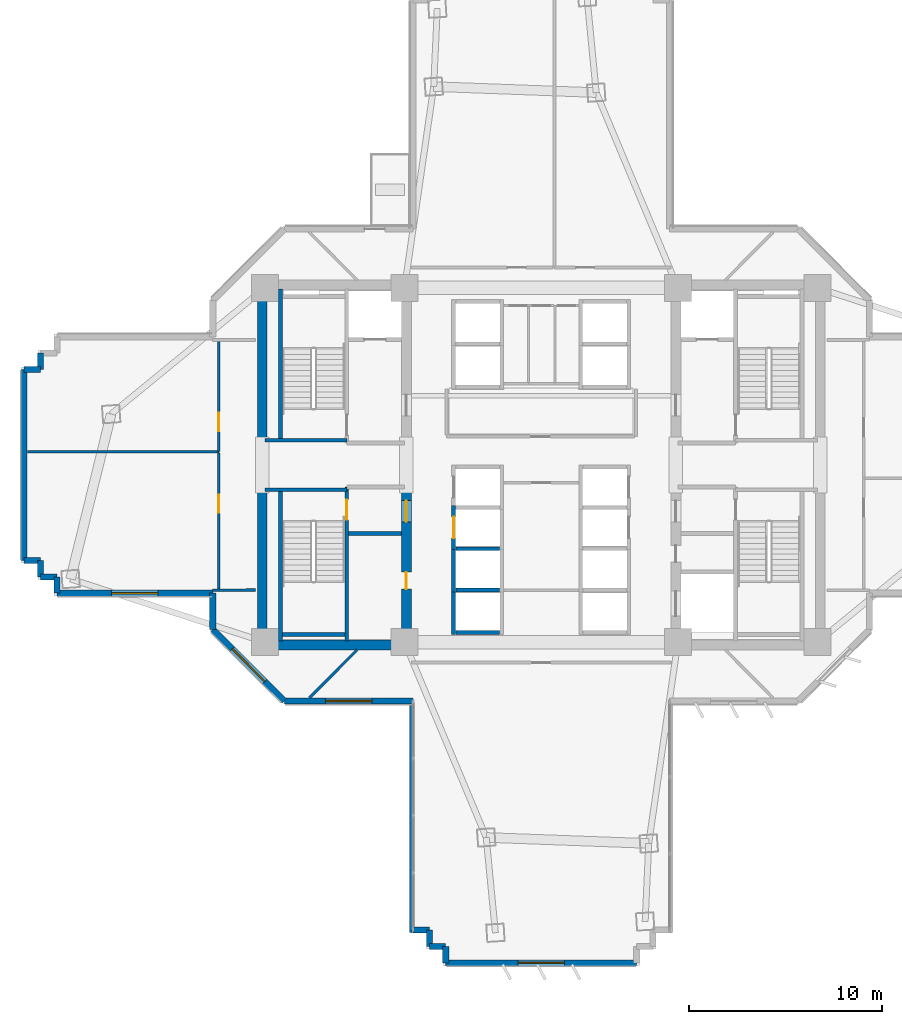
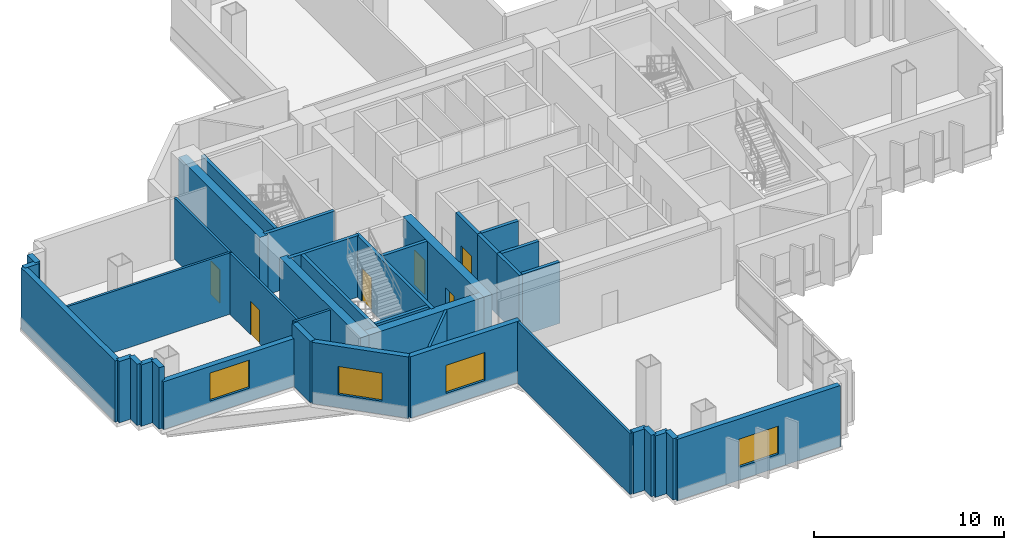
# One storey, part 5 of 14: 39 walls, 6 doors, 4 windows, 10 openings.
"""IFC4 building model written with IfcOpenShell, lengths in metres."""

from ifc_helpers import new_model, si_unit, direction, frame, frame_2d, origin, place, context, subcontext, project, spatial, rectangle, extrude, source, transform, mapped, material, layer, layer_set, type_object, element, fill, save


model = new_model("IFC4")

# Units and contexts
model_context = context("Model", 3, precision=1e-05, world=origin(), true_north=direction((0.0, 1.0)))
body_context = subcontext(model_context, "Body", "Model", "MODEL_VIEW")
ifc_project = project(units=[si_unit("LENGTHUNIT", "METRE"), si_unit("AREAUNIT", "SQUARE_METRE"), si_unit("VOLUMEUNIT", "CUBIC_METRE"), si_unit("PLANEANGLEUNIT", "RADIAN"), si_unit("MASSUNIT", "GRAM", prefix="KILO")], contexts=[model_context])

# Site, building, storey
site_placement = place(None, origin())
site = spatial("IfcSite", under=ifc_project, at=site_placement, CompositionType="ELEMENT")
building_placement = place(site_placement, origin())
building = spatial("IfcBuilding", under=site, at=building_placement, Name="Zahravan Cultural Tower", CompositionType="ELEMENT")
storey_placement = place(building_placement, frame((0.0, 0.0, 37.5)))
storey = spatial("IfcBuildingStorey", under=building, at=storey_placement, Name="L07", CompositionType="ELEMENT", Elevation=37.5)

# Wall, openings, doors
ifc_material_1 = material(Name="Concrete C60/75", Category="concrete")
ifc_layer_1 = layer(ifc_material_1, 0.5)
ifc_layer_set_1 = layer_set([ifc_layer_1], Name="Concrete C60/75")
wall_type_1 = type_object("IfcWallType", Name="CW-SHEAR-500-C60", PredefinedType="SHEAR", material=ifc_layer_set_1)
wall_1_placement = place(storey_placement, frame((29.0, 17.39990234375, 0.0), z_axis=(0.0, 0.0, 1.0), x_axis=(0.0, 1.0, 0.0)))
wall_1 = element("IfcWall", 1, at=wall_1_placement, inside=storey, type_object=wall_type_1, Name="L07 Core Shear Wall CW-W-ES-L07", PredefinedType="SHEAR", context=body_context, shape_type="SweptSolid", body=[
    extrude(rectangle(XDim=8.550048828125, YDim=0.5, at=frame_2d((4.27490234375, 0.0))), origin(), (0.0, 0.0, 1.0), 3.949951171875),
])
opening_1_placement = place(wall_1_placement, frame((6.64990234375, 0.0, 0.0)))
opening_1 = element("IfcOpeningElement", 2, at=opening_1_placement, cuts=wall_1, Name="Opening D-L07-07", PredefinedType="OPENING", context=body_context, shape_type="SweptSolid", body=[
    extrude(rectangle(XDim=1.10009765625, YDim=2.199951171875, at=frame_2d((0.550048828125, 1.10009765625))), frame((0.0, 0.260009765625, 0.0), z_axis=(0.0, -1.0, 0.0), x_axis=(1.0, 0.0, 0.0)), (0.0, 0.0, 1.0), 0.52001953125),
])
opening_2_placement = place(wall_1_placement, frame((3.14990234375, 0.0, 0.0)))
opening_2 = element("IfcOpeningElement", 3, at=opening_2_placement, cuts=wall_1, Name="Opening D-L07-09", PredefinedType="OPENING", context=body_context, shape_type="SweptSolid", body=[
    extrude(rectangle(XDim=0.8798828125, YDim=2.10009765625, at=frame_2d((0.43994140625, 1.050048828125))), frame((0.0, 0.260009765625, 0.0), z_axis=(0.0, -1.0, 0.0), x_axis=(1.0, 0.0, 0.0)), (0.0, 0.0, 1.0), 0.52001953125),
])
ifc_material_2 = material(Name="Steel ASTM A572 Grade 50", Category="steel")
door_type_1 = type_object("IfcDoorType", Name="DR-LOBBY-1100", OperationType="NOTDEFINED", PredefinedType="DOOR", material=ifc_material_2)
shared_shape_1 = source(origin(), body_context, "Body", "SweptSolid", [
    extrude(rectangle(XDim=1.10009765625, YDim=2.199951171875, at=frame_2d((0.550048828125, 1.10009765625))), frame((0.0, 0.02490234375, 0.0), z_axis=(0.0, -1.0, 0.0), x_axis=(1.0, 0.0, 0.0)), (0.0, 0.0, 1.0), 0.050048828125),
])
door_1_placement = place(opening_1_placement, origin())
door_1 = element("IfcDoor", 4, at=door_1_placement, inside=storey, type_object=door_type_1, Name="L07 Door D-L07-07", OperationType="SINGLE_SWING_RIGHT", OverallHeight=2.199951171875, OverallWidth=1.10009765625, PredefinedType="DOOR", context=body_context, shape_type="MappedRepresentation", body=[
    mapped(shared_shape_1, transform((0.0, 0.0, 0.0), x_axis=(1.0, 0.0, 0.0), y_axis=(0.0, 1.0, 0.0), z_axis=(0.0, 0.0, 1.0), scale=1.0)),
])
fill(opening_1, door_1)
door_type_2 = type_object("IfcDoorType", Name="DR-SVC-880", OperationType="NOTDEFINED", PredefinedType="DOOR", material=ifc_material_2)
shared_shape_2 = source(origin(), body_context, "Body", "SweptSolid", [
    extrude(rectangle(XDim=0.8798828125, YDim=2.10009765625, at=frame_2d((0.43994140625, 1.050048828125))), frame((0.0, 0.02490234375, 0.0), z_axis=(0.0, -1.0, 0.0), x_axis=(1.0, 0.0, 0.0)), (0.0, 0.0, 1.0), 0.050048828125),
])
door_2_placement = place(opening_2_placement, origin())
door_2 = element("IfcDoor", 5, at=door_2_placement, inside=storey, type_object=door_type_2, Name="L07 Door D-L07-09", OperationType="SINGLE_SWING_RIGHT", OverallHeight=2.10009765625, OverallWidth=0.8798828125, PredefinedType="DOOR", context=body_context, shape_type="MappedRepresentation", body=[
    mapped(shared_shape_2, transform((0.0, 0.0, 0.0), x_axis=(1.0, 0.0, 0.0), y_axis=(0.0, 1.0, 0.0), z_axis=(0.0, 0.0, 1.0), scale=1.0)),
])
fill(opening_2, door_2)

# Wall, opening, window
ifc_material_3 = material(Name="Precast concrete C40/50", Category="concrete")
ifc_layer_2 = layer(ifc_material_3, 0.320068359375)
ifc_layer_set_2 = layer_set([ifc_layer_2], Name="Precast concrete C40/50")
wall_type_2 = type_object("IfcWallType", Name="EW-TC-320", PredefinedType="SOLIDWALL", material=ifc_layer_set_2)
wall_2_placement = place(storey_placement, frame((40.9599609375, 1.139892578125, 0.0), z_axis=(0.0, 0.0, 1.0), x_axis=(-1.0, 0.0, 0.0)))
wall_2 = element("IfcWall", 6, at=wall_2_placement, inside=storey, type_object=wall_type_2, Name="L07 Exterior Masonry Frame Wall 19", PredefinedType="SOLIDWALL", context=body_context, shape_type="SweptSolid", body=[
    extrude(rectangle(XDim=9.919921875, YDim=0.320068359375, at=frame_2d((4.9599609375, 0.0))), origin(), (0.0, 0.0, 1.0), 3.949951171875),
])
opening_3_placement = place(wall_2_placement, frame((3.760009765625, 0.0, 0.85009765625)))
opening_3 = element("IfcOpeningElement", 7, at=opening_3_placement, cuts=wall_2, Name="Opening WN-01", PredefinedType="OPENING", context=body_context, shape_type="SweptSolid", body=[
    extrude(rectangle(XDim=2.39990234375, YDim=1.800048828125, at=frame_2d((1.199951171875, 0.89990234375))), frame((0.0, 0.169921875, 0.0), z_axis=(0.0, -1.0, 0.0), x_axis=(1.0, 0.0, 0.0)), (0.0, 0.0, 1.0), 0.340087890625),
])
ifc_material_4 = material(Name="Low-E solar-control double glazing", Category="glass")
window_type = type_object("IfcWindowType", Name="WN-REC-2400X1800", PartitioningType="DOUBLE_PANEL_VERTICAL", PredefinedType="WINDOW", material=ifc_material_4)
shared_shape_3 = source(origin(), body_context, "Body", "SweptSolid", [
    extrude(rectangle(XDim=2.39990234375, YDim=1.800048828125, at=frame_2d((1.199951171875, 0.89990234375))), frame((0.0, 0.030029296875, 0.0), z_axis=(0.0, -1.0, 0.0), x_axis=(1.0, 0.0, 0.0)), (0.0, 0.0, 1.0), 0.06005859375),
])
window_1_placement = place(opening_3_placement, origin())
window_1 = element("IfcWindow", 8, at=window_1_placement, inside=storey, type_object=window_type, Name="L07 Recessed Solar Window 05", OverallHeight=1.800048828125, OverallWidth=2.39990234375, PartitioningType="DOUBLE_PANEL_VERTICAL", PredefinedType="WINDOW", context=body_context, shape_type="MappedRepresentation", body=[
    mapped(shared_shape_3, transform((0.0, 0.0, 0.0), x_axis=(1.0, 0.0, 0.0), y_axis=(0.0, 1.0, 0.0), z_axis=(0.0, 0.0, 1.0), scale=1.0)),
])
fill(opening_3, window_1)

wall_3_placement = place(storey_placement, frame((29.340087890625, 14.739990234375, 0.0), z_axis=(0.0, 0.0, 1.0), x_axis=(-1.0, 0.0, 0.0)))
wall_3 = element("IfcWall", 9, at=wall_3_placement, inside=storey, type_object=wall_type_2, Name="L07 Exterior Masonry Frame Wall 24", PredefinedType="SOLIDWALL", context=body_context, shape_type="SweptSolid", body=[
    extrude(rectangle(XDim=6.68212890625, YDim=0.320068359375, at=frame_2d((3.341064453125, 0.0))), origin(), (0.0, 0.0, 1.0), 3.949951171875),
])
opening_4_placement = place(wall_3_placement, frame((2.14111328125, 0.0, 0.85009765625)))
opening_4 = element("IfcOpeningElement", 10, at=opening_4_placement, cuts=wall_3, Name="Opening WN-01", PredefinedType="OPENING", context=body_context, shape_type="SweptSolid", body=[
    extrude(rectangle(XDim=2.39990234375, YDim=1.800048828125, at=frame_2d((1.199951171875, 0.89990234375))), frame((0.0, 0.169921875, 0.0), z_axis=(0.0, -1.0, 0.0), x_axis=(1.0, 0.0, 0.0)), (0.0, 0.0, 1.0), 0.340087890625),
])
window_2_placement = place(opening_4_placement, origin())
window_2 = element("IfcWindow", 11, at=window_2_placement, inside=storey, type_object=window_type, Name="L07 Recessed Solar Window 06", OverallHeight=1.800048828125, OverallWidth=2.39990234375, PartitioningType="DOUBLE_PANEL_VERTICAL", PredefinedType="WINDOW", context=body_context, shape_type="MappedRepresentation", body=[
    mapped(shared_shape_3, transform((0.0, 0.0, 0.0), x_axis=(1.0, 0.0, 0.0), y_axis=(0.0, 1.0, 0.0), z_axis=(0.0, 0.0, 1.0), scale=1.0)),
])
fill(opening_4, window_2)

wall_4_placement = place(storey_placement, frame((22.657958984375, 14.739990234375, 0.0), z_axis=(0.0, 0.0, 1.0), x_axis=(-0.707106781187, 0.707106781187, 0.0)))
wall_4 = element("IfcWall", 12, at=wall_4_placement, inside=storey, type_object=wall_type_2, Name="L07 Exterior Masonry Frame Wall 25", PredefinedType="SOLIDWALL", context=body_context, shape_type="SweptSolid", body=[
    extrude(rectangle(XDim=5.258056640625, YDim=0.320068359375, at=frame_2d((2.62890625, 0.0))), origin(), (0.0, 0.0, 1.0), 3.949951171875),
])
opening_5_placement = place(wall_4_placement, frame((1.428955078125, 0.0, 0.85009765625)))
opening_5 = element("IfcOpeningElement", 13, at=opening_5_placement, cuts=wall_4, Name="Opening WN-01", PredefinedType="OPENING", context=body_context, shape_type="SweptSolid", body=[
    extrude(rectangle(XDim=2.39990234375, YDim=1.800048828125, at=frame_2d((1.199951171875, 0.89990234375))), frame((0.0, 0.169921875, 0.0), z_axis=(0.0, -1.0, 0.0), x_axis=(1.0, 0.0, 0.0)), (0.0, 0.0, 1.0), 0.340087890625),
])
window_3_placement = place(opening_5_placement, origin())
window_3 = element("IfcWindow", 14, at=window_3_placement, inside=storey, type_object=window_type, Name="L07 Recessed Solar Window 07", OverallHeight=1.800048828125, OverallWidth=2.39990234375, PartitioningType="DOUBLE_PANEL_VERTICAL", PredefinedType="WINDOW", context=body_context, shape_type="MappedRepresentation", body=[
    mapped(shared_shape_3, transform((0.0, 0.0, 0.0), x_axis=(1.0, 0.0, 0.0), y_axis=(0.0, 1.0, 0.0), z_axis=(0.0, 0.0, 1.0), scale=1.0)),
])
fill(opening_5, window_3)

wall_5_placement = place(storey_placement, frame((18.93994140625, 20.340087890625, 0.0), z_axis=(0.0, 0.0, 1.0), x_axis=(-1.0, 0.0, 0.0)))
wall_5 = element("IfcWall", 15, at=wall_5_placement, inside=storey, type_object=wall_type_2, Name="L07 Exterior Masonry Frame Wall 27", PredefinedType="SOLIDWALL", context=body_context, shape_type="SweptSolid", body=[
    extrude(rectangle(XDim=8.099853515625, YDim=0.320068359375, at=frame_2d((4.0498046875, 0.0))), origin(), (0.0, 0.0, 1.0), 3.080078125),
])
opening_6_placement = place(wall_5_placement, frame((2.85009765625, 0.0, 0.85009765625)))
opening_6 = element("IfcOpeningElement", 16, at=opening_6_placement, cuts=wall_5, Name="Opening WN-01", PredefinedType="OPENING", context=body_context, shape_type="SweptSolid", body=[
    extrude(rectangle(XDim=2.39990234375, YDim=1.800048828125, at=frame_2d((1.199951171875, 0.89990234375))), frame((0.0, 0.169921875, 0.0), z_axis=(0.0, -1.0, 0.0), x_axis=(1.0, 0.0, 0.0)), (0.0, 0.0, 1.0), 0.340087890625),
])
window_4_placement = place(opening_6_placement, origin())
window_4 = element("IfcWindow", 17, at=window_4_placement, inside=storey, type_object=window_type, Name="L07 Recessed Solar Window 08", OverallHeight=1.800048828125, OverallWidth=2.39990234375, PartitioningType="DOUBLE_PANEL_VERTICAL", PredefinedType="WINDOW", context=body_context, shape_type="MappedRepresentation", body=[
    mapped(shared_shape_3, transform((0.0, 0.0, 0.0), x_axis=(1.0, 0.0, 0.0), y_axis=(0.0, 1.0, 0.0), z_axis=(0.0, 0.0, 1.0), scale=1.0)),
])
fill(opening_6, window_4)

# Wall, opening, door
ifc_material_5 = material(Name="Gypsum plasterboard partition")
ifc_layer_3 = layer(ifc_material_5, 0.139892578125)
ifc_layer_set_3 = layer_set([ifc_layer_3], Name="Gypsum plasterboard partition")
wall_type_3 = type_object("IfcWallType", Name="W-PART-140", PredefinedType="PARTITIONING", material=ifc_layer_set_3)
wall_6_placement = place(storey_placement, frame((19.25048828125, 33.496337890625, 0.0), z_axis=(0.0, 0.0, 1.0), x_axis=(-8.409368e-05, -0.999999996464, 0.0)))
wall_6 = element("IfcWall", 18, at=wall_6_placement, inside=storey, type_object=wall_type_3, Name="L07 Interior Wall 079", PredefinedType="PARTITIONING", context=body_context, shape_type="SweptSolid", body=[
    extrude(rectangle(XDim=5.806396484375, YDim=0.139892578125, at=frame_2d((2.9033203125, 0.0))), origin(), (0.0, 0.0, 1.0), 3.949951171875),
])
opening_7_placement = place(wall_6_placement, frame((3.787841796875, 0.0, 0.0)))
opening_7 = element("IfcOpeningElement", 19, at=opening_7_placement, cuts=wall_6, Name="Opening D-L07-20", PredefinedType="OPENING", context=body_context, shape_type="SweptSolid", body=[
    extrude(rectangle(XDim=0.949951171875, YDim=2.14990234375, at=frame_2d((0.47509765625, 1.074951171875))), frame((0.0, 0.079833984375, 0.0), z_axis=(0.0, -1.0, 0.0), x_axis=(1.0, 0.0, 0.0)), (0.0, 0.0, 1.0), 0.159912109375),
])
ifc_material_6 = material(Name="Anodised bronze-aluminium mullion", Category="aluminium")
door_type_3 = type_object("IfcDoorType", Name="DR-ROOM-950", OperationType="NOTDEFINED", PredefinedType="DOOR", material=ifc_material_6)
shared_shape_4 = source(origin(), body_context, "Body", "SweptSolid", [
    extrude(rectangle(XDim=0.949951171875, YDim=2.14990234375, at=frame_2d((0.47509765625, 1.074951171875))), frame((0.0, 0.02490234375, 0.0), z_axis=(0.0, -1.0, 0.0), x_axis=(1.0, 0.0, 0.0)), (0.0, 0.0, 1.0), 0.050048828125),
])
door_3_placement = place(opening_7_placement, origin())
door_3 = element("IfcDoor", 20, at=door_3_placement, inside=storey, type_object=door_type_3, Name="L07 Door D-L07-20", OperationType="SINGLE_SWING_LEFT", OverallHeight=2.14990234375, OverallWidth=0.949951171875, PredefinedType="DOOR", context=body_context, shape_type="MappedRepresentation", body=[
    mapped(shared_shape_4, transform((0.0, 0.0, 0.0), x_axis=(1.0, 0.0, 0.0), y_axis=(0.0, 1.0, 0.0), z_axis=(0.0, 0.0, 1.0), scale=1.0)),
])
fill(opening_7, door_3)

wall_7_placement = place(storey_placement, frame((19.25, 27.614990234375, 0.0), z_axis=(0.0, 0.0, 1.0), x_axis=(0.0, -1.0, 0.0)))
wall_7 = element("IfcWall", 21, at=wall_7_placement, inside=storey, type_object=wall_type_3, Name="L07 Interior Wall 091", PredefinedType="PARTITIONING", context=body_context, shape_type="SweptSolid", body=[
    extrude(rectangle(XDim=7.109130859375, YDim=0.139892578125, at=frame_2d((3.5546875, 0.0))), origin(), (0.0, 0.0, 1.0), 3.949951171875),
])
opening_8_placement = place(wall_7_placement, frame((2.15576171875, 0.0, 0.0)))
opening_8 = element("IfcOpeningElement", 22, at=opening_8_placement, cuts=wall_7, Name="Opening D-L07-21", PredefinedType="OPENING", context=body_context, shape_type="SweptSolid", body=[
    extrude(rectangle(XDim=0.949951171875, YDim=2.14990234375, at=frame_2d((0.47509765625, 1.074951171875))), frame((0.0, 0.079833984375, 0.0), z_axis=(0.0, -1.0, 0.0), x_axis=(1.0, 0.0, 0.0)), (0.0, 0.0, 1.0), 0.159912109375),
])
door_4_placement = place(opening_8_placement, origin())
door_4 = element("IfcDoor", 23, at=door_4_placement, inside=storey, type_object=door_type_3, Name="L07 Door D-L07-21", OperationType="SINGLE_SWING_RIGHT", OverallHeight=2.14990234375, OverallWidth=0.949951171875, PredefinedType="DOOR", context=body_context, shape_type="MappedRepresentation", body=[
    mapped(shared_shape_4, transform((0.0, 0.0, 0.0), x_axis=(1.0, 0.0, 0.0), y_axis=(0.0, 1.0, 0.0), z_axis=(0.0, 0.0, 1.0), scale=1.0)),
])
fill(opening_8, door_4)

ifc_material_7 = material(Name="Concrete C45/55", Category="concrete")
ifc_layer_4 = layer(ifc_material_7, 0.199951171875)
ifc_layer_set_4 = layer_set([ifc_layer_4], Name="Concrete C45/55")
wall_type_4 = type_object("IfcWallType", Name="W-SHAFT-200", PredefinedType="SOLIDWALL", material=ifc_layer_set_4)
wall_8_placement = place(storey_placement, frame((25.89990234375, 17.85009765625, 0.0), z_axis=(0.0, 0.0, 1.0), x_axis=(0.0, 1.0, 0.0)))
wall_8 = element("IfcWall", 24, at=wall_8_placement, inside=storey, type_object=wall_type_4, Name="L07 Interior Wall 005", PredefinedType="SOLIDWALL", context=body_context, shape_type="SweptSolid", body=[
    extrude(rectangle(XDim=8.0, YDim=0.199951171875, at=frame_2d((4.0, 0.0))), origin(), (0.0, 0.0, 1.0), 3.949951171875),
])
opening_9_placement = place(wall_8_placement, frame((6.300048828125, 0.0, 0.0)))
opening_9 = element("IfcOpeningElement", 25, at=opening_9_placement, cuts=wall_8, Name="Opening D-L07-04", PredefinedType="OPENING", context=body_context, shape_type="SweptSolid", body=[
    extrude(rectangle(XDim=1.050048828125, YDim=2.14990234375, at=frame_2d((0.52490234375, 1.074951171875))), frame((0.0, 0.10986328125, 0.0), z_axis=(0.0, -1.0, 0.0), x_axis=(1.0, 0.0, 0.0)), (0.0, 0.0, 1.0), 0.219970703125),
])
door_type_4 = type_object("IfcDoorType", Name="DR-STAIR-1050", OperationType="NOTDEFINED", PredefinedType="DOOR", material=ifc_material_2)
shared_shape_5 = source(origin(), body_context, "Body", "SweptSolid", [
    extrude(rectangle(XDim=1.050048828125, YDim=2.14990234375, at=frame_2d((0.52490234375, 1.074951171875))), frame((0.0, 0.02490234375, 0.0), z_axis=(0.0, -1.0, 0.0), x_axis=(1.0, 0.0, 0.0)), (0.0, 0.0, 1.0), 0.050048828125),
])
door_5_placement = place(opening_9_placement, origin())
door_5 = element("IfcDoor", 26, at=door_5_placement, inside=storey, type_object=door_type_4, Name="L07 Door D-L07-04", OperationType="SINGLE_SWING_LEFT", OverallHeight=2.14990234375, OverallWidth=1.050048828125, PredefinedType="DOOR", context=body_context, shape_type="MappedRepresentation", body=[
    mapped(shared_shape_5, transform((0.0, 0.0, 0.0), x_axis=(1.0, 0.0, 0.0), y_axis=(0.0, 1.0, 0.0), z_axis=(0.0, 0.0, 1.0), scale=1.0)),
])
fill(opening_9, door_5)

wall_9_placement = place(storey_placement, frame((31.449951171875, 22.60009765625, 0.0), z_axis=(0.0, 0.0, 1.0), x_axis=(0.0, 1.0, 0.0)))
wall_9 = element("IfcWall", 27, at=wall_9_placement, inside=storey, type_object=wall_type_4, Name="L07 Interior Wall 058", PredefinedType="SOLIDWALL", context=body_context, shape_type="SweptSolid", body=[
    extrude(rectangle(XDim=2.2998046875, YDim=0.199951171875, at=frame_2d((1.14990234375, 0.0))), origin(), (0.0, 0.0, 1.0), 3.949951171875),
])
opening_10_placement = place(wall_9_placement, frame((0.60009765625, 0.0, 0.0)))
opening_10 = element("IfcOpeningElement", 28, at=opening_10_placement, cuts=wall_9, Name="Opening LD-L07-05", PredefinedType="OPENING", context=body_context, shape_type="SweptSolid", body=[
    extrude(rectangle(XDim=1.10009765625, YDim=2.14990234375, at=frame_2d((0.550048828125, 1.074951171875))), frame((0.0, 0.10986328125, 0.0), z_axis=(0.0, -1.0, 0.0), x_axis=(1.0, 0.0, 0.0)), (0.0, 0.0, 1.0), 0.219970703125),
])
door_type_5 = type_object("IfcDoorType", Name="DR-LIFT-1100", OperationType="DOUBLE_DOOR_SLIDING", PredefinedType="DOOR", material=ifc_material_2)
shared_shape_6 = source(origin(), body_context, "Body", "SweptSolid", [
    extrude(rectangle(XDim=1.10009765625, YDim=2.14990234375, at=frame_2d((0.550048828125, 1.074951171875))), frame((0.0, 0.02490234375, 0.0), z_axis=(0.0, -1.0, 0.0), x_axis=(1.0, 0.0, 0.0)), (0.0, 0.0, 1.0), 0.050048828125),
])
door_6_placement = place(opening_10_placement, origin())
door_6 = element("IfcDoor", 29, at=door_6_placement, inside=storey, type_object=door_type_5, Name="L07 Door LD-L07-05", OperationType="DOUBLE_DOOR_SLIDING", OverallHeight=2.14990234375, OverallWidth=1.10009765625, PredefinedType="DOOR", context=body_context, shape_type="MappedRepresentation", body=[
    mapped(shared_shape_6, transform((0.0, 0.0, 0.0), x_axis=(1.0, 0.0, 0.0), y_axis=(0.0, 1.0, 0.0), z_axis=(0.0, 0.0, 1.0), scale=1.0)),
])
fill(opening_10, door_6)

# Walls
shared_shape_7 = source(origin(), body_context, "Body", "SweptSolid", [
    extrude(rectangle(XDim=8.550048828125, YDim=0.5, at=frame_2d((4.27490234375, 0.0))), origin(), (0.0, 0.0, 1.0), 3.949951171875),
])
for number, where, z_axis, x_axis, name in (
    (30, (21.5, 17.39990234375, 0.0), (0.0, 0.0, 1.0), (0.0, 1.0, 0.0), "L07 Core Shear Wall CW-W-WS-L07"),
    (31, (21.5, 28.050048828125, 0.0), (0.0, 0.0, 1.0), (0.0, 1.0, 0.0), "L07 Core Shear Wall CW-W-WN-L07"),
):
    element("IfcWall", number, at=place(storey_placement, frame(where, z_axis=z_axis, x_axis=x_axis)), inside=storey, type_object=wall_type_1, Name=name, PredefinedType="SHEAR", context=body_context, shape_type="MappedRepresentation", body=[
        mapped(shared_shape_7, transform((0.0, 0.0, 0.0), x_axis=(1.0, 0.0, 0.0), y_axis=(0.0, 1.0, 0.0), z_axis=(0.0, 0.0, 1.0), scale=1.0)),
    ])
shared_shape_8 = source(origin(), body_context, "Body", "SweptSolid", [
    extrude(rectangle(XDim=7.0, YDim=0.5, at=frame_2d((3.5, 0.0))), origin(), (0.0, 0.0, 1.0), 3.949951171875),
])
wall_10_placement = place(storey_placement, frame((21.75, 17.64990234375, 0.0), z_axis=(0.0, 0.0, 1.0), x_axis=(1.0, 0.0, 0.0)))
element("IfcWall", 32, at=wall_10_placement, inside=storey, type_object=wall_type_1, Name="L07 Core Shear Wall CW-W-S-L07", PredefinedType="SHEAR", context=body_context, shape_type="MappedRepresentation", body=[
    mapped(shared_shape_8, transform((0.0, 0.0, 0.0), x_axis=(1.0, 0.0, 0.0), y_axis=(0.0, 1.0, 0.0), z_axis=(0.0, 0.0, 1.0), scale=1.0)),
])
shared_shape_9 = source(origin(), body_context, "Body", "SweptSolid", [
    extrude(rectangle(XDim=0.849853515625, YDim=0.320068359375, at=frame_2d((0.4248046875, 0.0))), origin(), (0.0, 0.0, 1.0), 3.949951171875),
])
for number, where, z_axis, x_axis, name in (
    (33, (30.18994140625, 2.840087890625, 0.0), (0.0, 0.0, 1.0), (-1.0, 0.0, 0.0), "L07 Exterior Masonry Frame Wall 23"),
    (34, (10.840087890625, 20.340087890625, 0.0), (0.0, 0.0, 1.0), (0.0, 1.0, 0.0), "L07 Exterior Masonry Frame Wall 28"),
):
    element("IfcWall", number, at=place(storey_placement, frame(where, z_axis=z_axis, x_axis=x_axis)), inside=storey, type_object=wall_type_2, Name=name, PredefinedType="SOLIDWALL", context=body_context, shape_type="MappedRepresentation", body=[
        mapped(shared_shape_9, transform((0.0, 0.0, 0.0), x_axis=(1.0, 0.0, 0.0), y_axis=(0.0, 1.0, 0.0), z_axis=(0.0, 0.0, 1.0), scale=1.0)),
    ])
shared_shape_10 = source(origin(), body_context, "Body", "SweptSolid", [
    extrude(rectangle(XDim=0.85009765625, YDim=0.320068359375, at=frame_2d((0.425048828125, 0.0))), origin(), (0.0, 0.0, 1.0), 3.949951171875),
])
for number, where, z_axis, x_axis, name in (
    (35, (31.0400390625, 1.139892578125, 0.0), (0.0, 0.0, 1.0), (0.0, 1.0, 0.0), "L07 Exterior Masonry Frame Wall 20"),
    (36, (31.0400390625, 1.989990234375, 0.0), (0.0, 0.0, 1.0), (-1.0, 0.0, 0.0), "L07 Exterior Masonry Frame Wall 21"),
    (37, (30.18994140625, 1.989990234375, 0.0), (0.0, 0.0, 1.0), (0.0, 1.0, 0.0), "L07 Exterior Masonry Frame Wall 22"),
    (38, (10.840087890625, 21.18994140625, 0.0), (0.0, 0.0, 1.0), (-1.0, 0.0, 0.0), "L07 Exterior Masonry Frame Wall 29"),
    (39, (9.989990234375, 21.18994140625, 0.0), (0.0, 0.0, 1.0), (0.0, 1.0, 0.0), "L07 Exterior Masonry Frame Wall 30"),
    (40, (9.989990234375, 22.0400390625, 0.0), (0.0, 0.0, 1.0), (-1.0, 0.0, 0.0), "L07 Exterior Masonry Frame Wall 31"),
    (41, (9.139892578125, 31.9599609375, 0.0), (0.0, 0.0, 1.0), (1.0, 0.0, 0.0), "L07 Exterior Masonry Frame Wall 33"),
    (42, (9.989990234375, 31.9599609375, 0.0), (0.0, 0.0, 1.0), (0.0, 1.0, 0.0), "L07 Exterior Masonry Frame Wall 34"),
):
    element("IfcWall", number, at=place(storey_placement, frame(where, z_axis=z_axis, x_axis=x_axis)), inside=storey, type_object=wall_type_2, Name=name, PredefinedType="SOLIDWALL", context=body_context, shape_type="MappedRepresentation", body=[
        mapped(shared_shape_10, transform((0.0, 0.0, 0.0), x_axis=(1.0, 0.0, 0.0), y_axis=(0.0, 1.0, 0.0), z_axis=(0.0, 0.0, 1.0), scale=1.0)),
    ])
shared_shape_11 = source(origin(), body_context, "Body", "SweptSolid", [
    extrude(rectangle(XDim=9.919921875, YDim=0.320068359375, at=frame_2d((4.9599609375, 0.0))), origin(), (0.0, 0.0, 1.0), 3.949951171875),
])
wall_11_placement = place(storey_placement, frame((9.139892578125, 22.0400390625, 0.0), z_axis=(0.0, 0.0, 1.0), x_axis=(0.0, 1.0, 0.0)))
element("IfcWall", 43, at=wall_11_placement, inside=storey, type_object=wall_type_2, Name="L07 Exterior Masonry Frame Wall 32", PredefinedType="SOLIDWALL", context=body_context, shape_type="MappedRepresentation", body=[
    mapped(shared_shape_11, transform((0.0, 0.0, 0.0), x_axis=(1.0, 0.0, 0.0), y_axis=(0.0, 1.0, 0.0), z_axis=(0.0, 0.0, 1.0), scale=1.0)),
])
shared_shape_12 = source(origin(), body_context, "Body", "SweptSolid", [
    extrude(rectangle(XDim=1.882080078125, YDim=0.320068359375, at=frame_2d((0.94091796875, 0.0))), origin(), (0.0, 0.0, 1.0), 3.949951171875),
])
wall_12_placement = place(storey_placement, frame((18.93994140625, 18.4580078125, 0.0), z_axis=(0.0, 0.0, 1.0), x_axis=(0.0, 1.0, 0.0)))
element("IfcWall", 44, at=wall_12_placement, inside=storey, type_object=wall_type_2, Name="L07 Exterior Masonry Frame Wall 26", PredefinedType="SOLIDWALL", context=body_context, shape_type="MappedRepresentation", body=[
    mapped(shared_shape_12, transform((0.0, 0.0, 0.0), x_axis=(1.0, 0.0, 0.0), y_axis=(0.0, 1.0, 0.0), z_axis=(0.0, 0.0, 1.0), scale=1.0)),
])
shared_shape_13 = source(origin(), body_context, "Body", "SweptSolid", [
    extrude(rectangle(XDim=7.869873046875, YDim=0.199951171875, at=frame_2d((3.93505859375, 0.0))), origin(), (0.0, 0.0, 1.0), 3.949951171875),
])
for number, where, z_axis, x_axis, name in (
    (45, (22.449951171875, 17.85009765625, 0.0), (0.0, 0.0, 1.0), (0.0, 1.0, 0.0), "L07 Interior Wall 001"),
    (46, (22.449951171875, 28.280029296875, 0.0), (0.0, 0.0, 1.0), (0.0, 1.0, 0.0), "L07 Interior Wall 002"),
):
    element("IfcWall", number, at=place(storey_placement, frame(where, z_axis=z_axis, x_axis=x_axis)), inside=storey, type_object=wall_type_4, Name=name, PredefinedType="SOLIDWALL", context=body_context, shape_type="MappedRepresentation", body=[
        mapped(shared_shape_13, transform((0.0, 0.0, 0.0), x_axis=(1.0, 0.0, 0.0), y_axis=(0.0, 1.0, 0.0), z_axis=(0.0, 0.0, 1.0), scale=1.0)),
    ])
shared_shape_14 = source(origin(), body_context, "Body", "SweptSolid", [
    extrude(rectangle(XDim=4.25, YDim=0.199951171875, at=frame_2d((2.125, 0.0))), origin(), (0.0, 0.0, 1.0), 3.949951171875),
])
for number, where, z_axis, x_axis, name in (
    (47, (21.64990234375, 25.715087890625, 0.0), (0.0, 0.0, 1.0), (1.0, 0.0, 0.0), "L07 Interior Wall 009"),
    (48, (21.64990234375, 28.284912109375, 0.0), (0.0, 0.0, 1.0), (1.0, 0.0, 0.0), "L07 Interior Wall 011"),
):
    element("IfcWall", number, at=place(storey_placement, frame(where, z_axis=z_axis, x_axis=x_axis)), inside=storey, type_object=wall_type_4, Name=name, PredefinedType="SOLIDWALL", context=body_context, shape_type="MappedRepresentation", body=[
        mapped(shared_shape_14, transform((0.0, 0.0, 0.0), x_axis=(1.0, 0.0, 0.0), y_axis=(0.0, 1.0, 0.0), z_axis=(0.0, 0.0, 1.0), scale=1.0)),
    ])
shared_shape_15 = source(origin(), body_context, "Body", "SweptSolid", [
    extrude(rectangle(XDim=3.25, YDim=0.199951171875, at=frame_2d((1.625, 0.0))), origin(), (0.0, 0.0, 1.0), 3.949951171875),
])
wall_13_placement = place(storey_placement, frame((22.550048828125, 18.199951171875, 0.0), z_axis=(0.0, 0.0, 1.0), x_axis=(1.0, 0.0, 0.0)))
element("IfcWall", 49, at=wall_13_placement, inside=storey, type_object=wall_type_4, Name="L07 Interior Wall 019", PredefinedType="SOLIDWALL", context=body_context, shape_type="MappedRepresentation", body=[
    mapped(shared_shape_15, transform((0.0, 0.0, 0.0), x_axis=(1.0, 0.0, 0.0), y_axis=(0.0, 1.0, 0.0), z_axis=(0.0, 0.0, 1.0), scale=1.0)),
])
shared_shape_16 = source(origin(), body_context, "Body", "SweptSolid", [
    extrude(rectangle(XDim=2.75, YDim=0.199951171875, at=frame_2d((1.375, 0.0))), origin(), (0.0, 0.0, 1.0), 3.949951171875),
])
wall_14_placement = place(storey_placement, frame((26.0, 23.449951171875, 0.0), z_axis=(0.0, 0.0, 1.0), x_axis=(1.0, 0.0, 0.0)))
element("IfcWall", 50, at=wall_14_placement, inside=storey, type_object=wall_type_4, Name="L07 Interior Wall 023", PredefinedType="SOLIDWALL", context=body_context, shape_type="MappedRepresentation", body=[
    mapped(shared_shape_16, transform((0.0, 0.0, 0.0), x_axis=(1.0, 0.0, 0.0), y_axis=(0.0, 1.0, 0.0), z_axis=(0.0, 0.0, 1.0), scale=1.0)),
])
shared_shape_17 = source(origin(), body_context, "Body", "SweptSolid", [
    extrude(rectangle(XDim=2.260009765625, YDim=0.199951171875, at=frame_2d((1.1298828125, 0.0))), origin(), (0.0, 0.0, 1.0), 3.949951171875),
])
for number, where, z_axis, x_axis, name in (
    (51, (31.570068359375, 20.5, 0.0), (0.0, 0.0, 1.0), (1.0, 0.0, 0.0), "L07 Interior Wall 042"),
    (52, (31.570068359375, 22.64990234375, 0.0), (0.0, 0.0, 1.0), (1.0, 0.0, 0.0), "L07 Interior Wall 043"),
    (53, (31.570068359375, 18.300048828125, 0.0), (0.0, 0.0, 1.0), (1.0, 0.0, 0.0), "L07 Interior Wall 046"),
):
    element("IfcWall", number, at=place(storey_placement, frame(where, z_axis=z_axis, x_axis=x_axis)), inside=storey, type_object=wall_type_4, Name=name, PredefinedType="SOLIDWALL", context=body_context, shape_type="MappedRepresentation", body=[
        mapped(shared_shape_17, transform((0.0, 0.0, 0.0), x_axis=(1.0, 0.0, 0.0), y_axis=(0.0, 1.0, 0.0), z_axis=(0.0, 0.0, 1.0), scale=1.0)),
    ])
shared_shape_18 = source(origin(), body_context, "Body", "SweptSolid", [
    extrude(rectangle(XDim=2.35009765625, YDim=0.199951171875, at=frame_2d((1.175048828125, 0.0))), origin(), (0.0, 0.0, 1.0), 3.949951171875),
])
for number, where, z_axis, x_axis, name in (
    (54, (31.449951171875, 20.39990234375, 0.0), (0.0, 0.0, 1.0), (0.0, 1.0, 0.0), "L07 Interior Wall 040"),
    (55, (31.449951171875, 18.199951171875, 0.0), (0.0, 0.0, 1.0), (0.0, 1.0, 0.0), "L07 Interior Wall 044"),
):
    element("IfcWall", number, at=place(storey_placement, frame(where, z_axis=z_axis, x_axis=x_axis)), inside=storey, type_object=wall_type_4, Name=name, PredefinedType="SOLIDWALL", context=body_context, shape_type="MappedRepresentation", body=[
        mapped(shared_shape_18, transform((0.0, 0.0, 0.0), x_axis=(1.0, 0.0, 0.0), y_axis=(0.0, 1.0, 0.0), z_axis=(0.0, 0.0, 1.0), scale=1.0)),
    ])
shared_shape_19 = source(origin(), body_context, "Body", "SweptSolid", [
    extrude(rectangle(XDim=9.945068359375, YDim=0.139892578125, at=frame_2d((4.97265625, 0.0))), origin(), (0.0, 0.0, 1.0), 3.949951171875),
])
wall_15_placement = place(storey_placement, frame((19.25, 27.68994140625, 0.0), z_axis=(0.0, 0.0, 1.0), x_axis=(-1.0, 0.0, 0.0)))
element("IfcWall", 56, at=wall_15_placement, inside=storey, type_object=wall_type_3, Name="L07 Interior Wall 080", PredefinedType="PARTITIONING", context=body_context, shape_type="MappedRepresentation", body=[
    mapped(shared_shape_19, transform((0.0, 0.0, 0.0), x_axis=(1.0, 0.0, 0.0), y_axis=(0.0, 1.0, 0.0), z_axis=(0.0, 0.0, 1.0), scale=1.0)),
])
shared_shape_20 = source(origin(), body_context, "Body", "SweptSolid", [
    extrude(rectangle(XDim=2.21435546875, YDim=0.139892578125, at=frame_2d((1.107177734375, 0.0))), origin(), (0.0, 0.0, 1.0), 3.949951171875),
])
wall_16_placement = place(storey_placement, frame((18.93505859375, 20.49951171875, 0.0), z_axis=(0.0, 0.0, 1.0), x_axis=(0.999998444054, 0.001764054587, 0.0)))
element("IfcWall", 57, at=wall_16_placement, inside=storey, type_object=wall_type_3, Name="L07 Interior Wall 092", PredefinedType="PARTITIONING", context=body_context, shape_type="MappedRepresentation", body=[
    mapped(shared_shape_20, transform((0.0, 0.0, 0.0), x_axis=(1.0, 0.0, 0.0), y_axis=(0.0, 1.0, 0.0), z_axis=(0.0, 0.0, 1.0), scale=1.0)),
])
shared_shape_21 = source(origin(), body_context, "Body", "SweptSolid", [
    extrude(rectangle(XDim=3.505126953125, YDim=0.139892578125, at=frame_2d((1.75244140625, 0.0))), origin(), (0.0, 0.0, 1.0), 3.949951171875),
])
wall_17_placement = place(storey_placement, frame((26.430908203125, 17.39501953125, 0.0), z_axis=(0.0, 0.0, 1.0), x_axis=(-0.703790445361, -0.710407635811, 0.0)))
element("IfcWall", 58, at=wall_17_placement, inside=storey, type_object=wall_type_3, Name="L07 Interior Wall 093", PredefinedType="PARTITIONING", context=body_context, shape_type="MappedRepresentation", body=[
    mapped(shared_shape_21, transform((0.0, 0.0, 0.0), x_axis=(1.0, 0.0, 0.0), y_axis=(0.0, 1.0, 0.0), z_axis=(0.0, 0.0, 1.0), scale=1.0)),
])
shared_shape_22 = source(origin(), body_context, "Body", "SweptSolid", [
    extrude(rectangle(XDim=11.85498046875, YDim=0.139892578125, at=frame_2d((5.927490234375, 0.0))), origin(), (0.0, 0.0, 1.0), 3.949951171875),
])
wall_18_placement = place(storey_placement, frame((29.219970703125, 2.719970703125, 0.0), z_axis=(0.0, 0.0, 1.0), x_axis=(-0.000164751429, 0.999999986428, 0.0)))
element("IfcWall", 59, at=wall_18_placement, inside=storey, type_object=wall_type_3, Name="L07 Interior Wall 099", PredefinedType="PARTITIONING", context=body_context, shape_type="MappedRepresentation", body=[
    mapped(shared_shape_22, transform((0.0, 0.0, 0.0), x_axis=(1.0, 0.0, 0.0), y_axis=(0.0, 1.0, 0.0), z_axis=(0.0, 0.0, 1.0), scale=1.0)),
])

save(model, "model.ifc")
